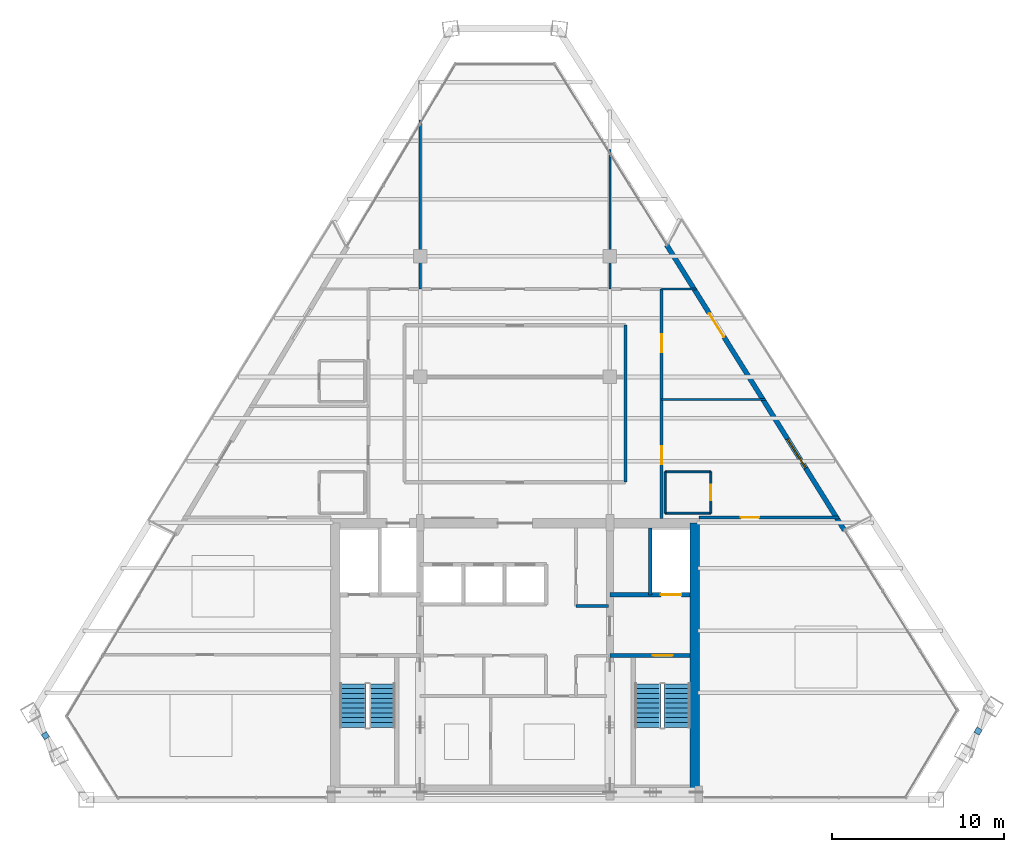
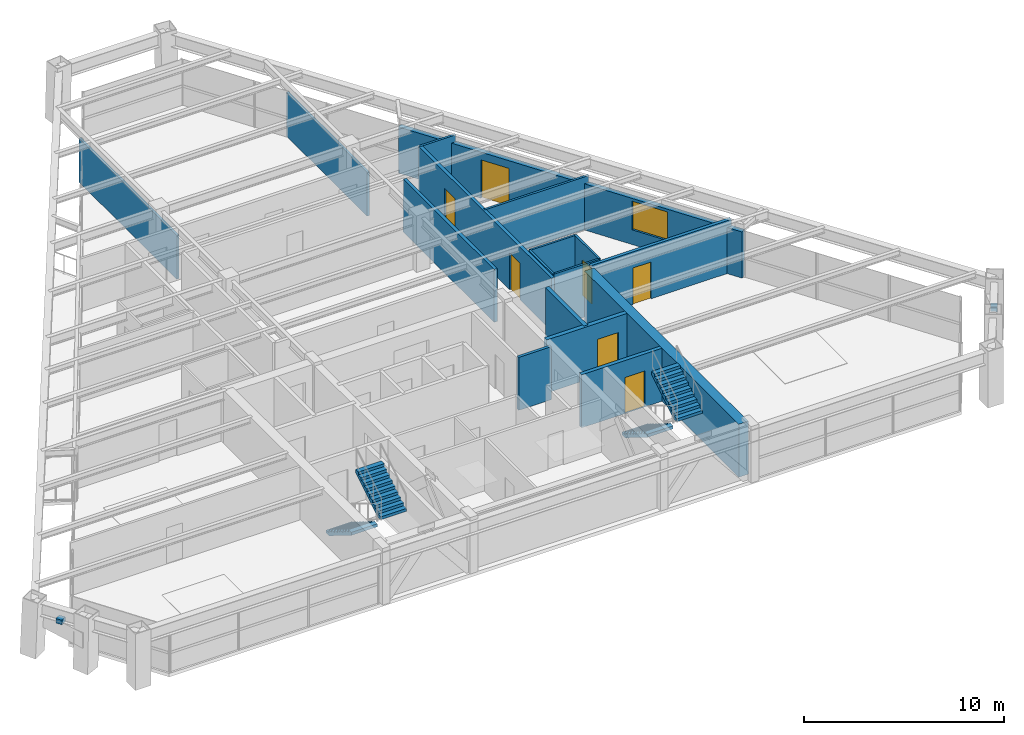
# One storey, part 10 of 12: 17 walls, 7 doors, 4 stair flights, 2 discrete accessories, 1 window, 8 openings, 2 elements without a shape of their own.
"""IFC4 building model written with IfcOpenShell, lengths in metres."""

from ifc_helpers import new_model, si_unit, direction, frame, frame_2d, origin, origin_2d, place, context, subcontext, project, spatial, polyline, rectangle, outline, extrude, source, transform, mapped, material, layer, layer_set, type_object, type_shapes, element, fill, aggregate, save


model = new_model("IFC4")

# Units and contexts
model_context = context("Model", 3, precision=1e-05, world=origin(), true_north=direction((0.0, 1.0)))
body_context = subcontext(model_context, "Body", "Model", "MODEL_VIEW")
ifc_project = project(units=[si_unit("LENGTHUNIT", "METRE"), si_unit("AREAUNIT", "SQUARE_METRE"), si_unit("VOLUMEUNIT", "CUBIC_METRE"), si_unit("PLANEANGLEUNIT", "RADIAN"), si_unit("MASSUNIT", "GRAM", prefix="KILO")], contexts=[model_context])

# Site, building, storey
site_placement = place(None, origin())
site = spatial("IfcSite", under=ifc_project, at=site_placement, CompositionType="ELEMENT")
building_placement = place(site_placement, origin())
building = spatial("IfcBuilding", under=site, at=building_placement, Name="Varnakhor Terracotta Tower", CompositionType="ELEMENT")
storey_placement = place(building_placement, frame((0.0, 0.0, 226.89990234375)))
storey = spatial("IfcBuildingStorey", under=building, at=storey_placement, Name="L58", CompositionType="ELEMENT", Elevation=226.89990234375)

# Walls
ifc_material_1 = material(Name="Moisture-Resistant Tile-Backed Partition", Category="gypsum")
ifc_layer_1 = layer(ifc_material_1, 0.114990234375, Name="Moisture-Resistant Tile-Backed Partition")
ifc_layer_set_1 = layer_set([ifc_layer_1], Name="Moisture-Resistant Tile-Backed Partition")
wall_type_1 = type_object("IfcWallType", Name="WAL-BATH-115", PredefinedType="PARTITIONING", material=ifc_layer_set_1)
for number, where, z_axis, x_axis, name in (
    (1, (8.699951171875, 16.60009765625, 0.0), (0.0, 0.0, 1.0), (1.0, 0.0, 0.0), "L58 En-Suite 3 Wall S"),
    (2, (8.699951171875, 19.0, 0.0), (0.0, 0.0, 1.0), (1.0, 0.0, 0.0), "L58 En-Suite 3 Wall N"),
):
    element("IfcWall", number, at=place(storey_placement, frame(where, z_axis=z_axis, x_axis=x_axis)), inside=storey, type_object=wall_type_1, Name=name, PredefinedType="PARTITIONING", context=body_context, shape_type="SweptSolid", body=[
        extrude(rectangle(XDim=2.650146484375, YDim=0.114990234375, at=frame_2d((1.3251953125, 0.0))), origin(), (0.0, 0.0, 1.0), 3.232177734375),
    ])
wall_1_placement = place(storey_placement, frame((8.699951171875, 16.60009765625, 0.0), z_axis=(0.0, 0.0, 1.0), x_axis=(0.0, 1.0, 0.0)))
element("IfcWall", 3, at=wall_1_placement, inside=storey, type_object=wall_type_1, Name="L58 En-Suite 3 Wall W", PredefinedType="PARTITIONING", context=body_context, shape_type="SweptSolid", body=[
    extrude(rectangle(XDim=2.39990234375, YDim=0.114990234375, at=frame_2d((1.199951171875, 0.0))), origin(), (0.0, 0.0, 1.0), 3.232177734375),
])

# Wall, opening, door
wall_2_placement = place(storey_placement, frame((11.35009765625, 16.60009765625, 0.0), z_axis=(0.0, 0.0, 1.0), x_axis=(0.0, 1.0, 0.0)))
wall_2 = element("IfcWall", 4, at=wall_2_placement, inside=storey, type_object=wall_type_1, Name="L58 En-Suite 3 Wall E", PredefinedType="PARTITIONING", context=body_context, shape_type="SweptSolid", body=[
    extrude(rectangle(XDim=2.39990234375, YDim=0.114990234375, at=frame_2d((1.199951171875, 0.0))), origin(), (0.0, 0.0, 1.0), 3.232177734375),
])
opening_1_placement = place(wall_2_placement, frame((0.75, 0.0, 0.0)))
opening_1 = element("IfcOpeningElement", 5, at=opening_1_placement, cuts=wall_2, Name="Opening DR-93", PredefinedType="OPENING", context=body_context, shape_type="SweptSolid", body=[
    extrude(rectangle(XDim=0.89990234375, YDim=2.14990234375, at=frame_2d((0.449951171875, 1.074951171875))), frame((0.0, 0.0673828125, 0.0), z_axis=(0.0, -1.0, 0.0), x_axis=(1.0, 0.0, 0.0)), (0.0, 0.0, 1.0), 0.135009765625),
])
ifc_material_2 = material(Name="Moisture-Resistant Accessible Bathroom Door", Category="wood")
door_type_1 = type_object("IfcDoorType", Name="DR-BATH-900X2150", OperationType="NOTDEFINED", PredefinedType="DOOR", material=ifc_material_2)
shared_shape_1 = source(origin(), body_context, "Body", "SweptSolid", [
    extrude(rectangle(XDim=0.89990234375, YDim=2.14990234375, at=frame_2d((0.449951171875, 1.074951171875))), frame((0.0, 0.02490234375, 0.0), z_axis=(0.0, -1.0, 0.0), x_axis=(1.0, 0.0, 0.0)), (0.0, 0.0, 1.0), 0.050048828125),
])
type_shapes(door_type_1, [shared_shape_1])
door_1_placement = place(opening_1_placement, origin())
door_1 = element("IfcDoor", 6, at=door_1_placement, inside=storey, type_object=door_type_1, Name="L58 En-Suite Bathroom 3 Door", OperationType="SINGLE_SWING_RIGHT", OverallHeight=2.14990234375, OverallWidth=0.89990234375, PredefinedType="DOOR", context=body_context, shape_type="MappedRepresentation", body=[
    mapped(shared_shape_1, transform((0.0, 0.0, 0.0), scale=1.0)),
])
fill(opening_1, door_1)

# Walls
ifc_material_3 = material(Name="Concrete C50/60", Category="concrete")
ifc_layer_2 = layer(ifc_material_3, 0.550048828125, Name="Concrete C50/60")
ifc_layer_set_2 = layer_set([ifc_layer_2], Name="Concrete C50/60")
wall_type_2 = type_object("IfcWallType", Name="WAL-CORE-550", PredefinedType="SHEAR", material=ifc_layer_set_2)
wall_3_placement = place(storey_placement, frame((10.425048828125, 0.574951171875, 0.0), z_axis=(0.0, 0.0, 1.0), x_axis=(0.0, 1.0, 0.0)))
element("IfcWall", 7, at=wall_3_placement, inside=storey, type_object=wall_type_2, Name="L58 East Core Shear Wall", PredefinedType="SHEAR", context=body_context, shape_type="SweptSolid", body=[
    extrude(rectangle(XDim=15.449951171875, YDim=0.550048828125, at=frame_2d((7.72509765625, 0.0))), origin(), (0.0, 0.0, 1.0), 3.239990234375),
])
ifc_material_4 = material(Name="Fire-Rated Gypsum Stud Partition", Category="gypsum")
ifc_layer_3 = layer(ifc_material_4, 0.18505859375, Name="Fire-Rated Gypsum Stud Partition")
ifc_layer_set_3 = layer_set([ifc_layer_3], Name="Fire-Rated Gypsum Stud Partition")
wall_type_3 = type_object("IfcWallType", Name="WAL-CORR-185", PredefinedType="PARTITIONING", material=ifc_layer_set_3)
wall_4_placement = place(storey_placement, frame((6.39990234375, 18.39990234375, 0.0), z_axis=(0.0, 0.0, 1.0), x_axis=(0.0, 1.0, 0.0)))
element("IfcWall", 8, at=wall_4_placement, inside=storey, type_object=wall_type_3, Name="L58 Ring Inner East Wall", PredefinedType="PARTITIONING", context=body_context, shape_type="SweptSolid", body=[
    extrude(rectangle(XDim=9.10009765625, YDim=0.18505859375, at=frame_2d((4.550048828125, 0.0))), origin(), (0.0, 0.0, 1.0), 3.232177734375),
])

# Wall, openings, doors
wall_5_placement = place(storey_placement, frame((8.5, 16.300048828125, 0.0), z_axis=(0.0, 0.0, 1.0), x_axis=(0.0, 1.0, 0.0)))
wall_5 = element("IfcWall", 9, at=wall_5_placement, inside=storey, type_object=wall_type_3, Name="L58 Hotel East Corridor Wall", PredefinedType="PARTITIONING", context=body_context, shape_type="SweptSolid", body=[
    extrude(rectangle(XDim=13.300048828125, YDim=0.18505859375, at=frame_2d((6.64990234375, 0.0))), origin(), (0.0, 0.0, 1.0), 3.232177734375),
])
opening_2_placement = place(wall_5_placement, frame((3.135986328125, 0.0, 0.0)))
opening_2 = element("IfcOpeningElement", 10, at=opening_2_placement, cuts=wall_5, Name="Opening DR-95", PredefinedType="OPENING", context=body_context, shape_type="SweptSolid", body=[
    extrude(rectangle(XDim=1.050048828125, YDim=2.25, at=frame_2d((0.52490234375, 1.125))), frame((0.0, 0.1025390625, 0.0), z_axis=(0.0, -1.0, 0.0), x_axis=(1.0, 0.0, 0.0)), (0.0, 0.0, 1.0), 0.205078125),
])
opening_3_placement = place(wall_5_placement, frame((9.6357421875, 0.0, 0.0)))
opening_3 = element("IfcOpeningElement", 11, at=opening_3_placement, cuts=wall_5, Name="Opening DR-95", PredefinedType="OPENING", context=body_context, shape_type="SweptSolid", body=[
    extrude(rectangle(XDim=1.050048828125, YDim=2.25, at=frame_2d((0.52490234375, 1.125))), frame((0.0, 0.1025390625, 0.0), z_axis=(0.0, -1.0, 0.0), x_axis=(1.0, 0.0, 0.0)), (0.0, 0.0, 1.0), 0.205078125),
])
ifc_material_5 = material(Name="Solid-Core Timber Tenant/Hotel Entrance Door", Category="wood")
door_type_2 = type_object("IfcDoorType", Name="DR-SUITE-1050X2250", OperationType="NOTDEFINED", PredefinedType="DOOR", material=ifc_material_5)
shared_shape_2 = source(origin(), body_context, "Body", "SweptSolid", [
    extrude(rectangle(XDim=1.050048828125, YDim=2.25, at=frame_2d((0.52490234375, 1.125))), frame((0.0, 0.02490234375, 0.0), z_axis=(0.0, -1.0, 0.0), x_axis=(1.0, 0.0, 0.0)), (0.0, 0.0, 1.0), 0.050048828125),
])
type_shapes(door_type_2, [shared_shape_2])
door_2_placement = place(opening_2_placement, origin())
door_2 = element("IfcDoor", 12, at=door_2_placement, inside=storey, type_object=door_type_2, Name="L58 East Room 1 Entry Door", OperationType="SINGLE_SWING_LEFT", OverallHeight=2.25, OverallWidth=1.050048828125, PredefinedType="DOOR", context=body_context, shape_type="MappedRepresentation", body=[
    mapped(shared_shape_2, transform((0.0, 0.0, 0.0), scale=1.0)),
])
fill(opening_2, door_2)
door_3_placement = place(opening_3_placement, origin())
door_3 = element("IfcDoor", 13, at=door_3_placement, inside=storey, type_object=door_type_2, Name="L58 East Room 2 Entry Door", OperationType="SINGLE_SWING_RIGHT", OverallHeight=2.25, OverallWidth=1.050048828125, PredefinedType="DOOR", context=body_context, shape_type="MappedRepresentation", body=[
    mapped(shared_shape_2, transform((0.0, 0.0, 0.0), scale=1.0)),
])
fill(opening_3, door_3)

# Wall, opening, door
wall_6_placement = place(storey_placement, frame((10.679931640625, 16.35009765625, 0.0), z_axis=(0.0, 0.0, 1.0), x_axis=(1.0, 0.0, 0.0)))
wall_6 = element("IfcWall", 14, at=wall_6_placement, inside=storey, type_object=wall_type_3, Name="L58 South East Guest Entry Wall", PredefinedType="PARTITIONING", context=body_context, shape_type="SweptSolid", body=[
    extrude(rectangle(XDim=8.11279296875, YDim=0.18505859375, at=frame_2d((4.056396484375, 0.0))), origin(), (0.0, 0.0, 1.0), 3.232177734375),
])
opening_4_placement = place(wall_6_placement, frame((2.41650390625, 0.0, 0.0)))
opening_4 = element("IfcOpeningElement", 15, at=opening_4_placement, cuts=wall_6, Name="Opening DR-95", PredefinedType="OPENING", context=body_context, shape_type="SweptSolid", body=[
    extrude(rectangle(XDim=1.050048828125, YDim=2.25, at=frame_2d((0.52490234375, 1.125))), frame((0.0, 0.1025390625, 0.0), z_axis=(0.0, -1.0, 0.0), x_axis=(1.0, 0.0, 0.0)), (0.0, 0.0, 1.0), 0.205078125),
])
door_4_placement = place(opening_4_placement, origin())
door_4 = element("IfcDoor", 16, at=door_4_placement, inside=storey, type_object=door_type_2, Name="L58 SE Suite Entry Door", OperationType="SINGLE_SWING_RIGHT", OverallHeight=2.25, OverallWidth=1.050048828125, PredefinedType="DOOR", context=body_context, shape_type="MappedRepresentation", body=[
    mapped(shared_shape_2, transform((0.0, 0.0, 0.0), scale=1.0)),
])
fill(opening_4, door_4)

# Wall, openings, door, window
ifc_material_6 = material(Name="Extruded Architectural Terracotta Assembly", Category="masonry")
ifc_layer_4 = layer(ifc_material_6, 0.280029296875, Name="Extruded Architectural Terracotta Assembly")
ifc_layer_set_4 = layer_set([ifc_layer_4], Name="Extruded Architectural Terracotta Assembly")
wall_type_4 = type_object("IfcWallType", Name="WAL-EXT-TERRACOTTA-280", PredefinedType="SOLIDWALL", material=ifc_layer_set_4)
wall_7_placement = place(storey_placement, frame((8.79345703125, 32.151611328125, 0.0), z_axis=(0.0, 0.0, 1.0), x_axis=(0.528841469928, -0.848720625226, 0.0)))
wall_7 = element("IfcWall", 17, at=wall_7_placement, inside=storey, type_object=wall_type_4, Name="L58 E Loggia Insulated Terracotta Wall", PredefinedType="SOLIDWALL", context=body_context, shape_type="SweptSolid", body=[
    extrude(rectangle(XDim=19.47998046875, YDim=0.280029296875, at=frame_2d((9.739990234375, 0.0))), origin(), (0.0, 0.0, 1.0), 2.820068359375),
])
opening_5_placement = place(wall_7_placement, frame((4.67529296875, 0.0, 0.0)))
opening_5 = element("IfcOpeningElement", 18, at=opening_5_placement, cuts=wall_7, Name="Opening DR-62", PredefinedType="OPENING", context=body_context, shape_type="SweptSolid", body=[
    extrude(rectangle(XDim=1.60009765625, YDim=2.35009765625, at=frame_2d((0.800048828125, 1.175048828125))), frame((0.0, 0.14990234375, 0.0), z_axis=(0.0, -1.0, 0.0), x_axis=(1.0, 0.0, 0.0)), (0.0, 0.0, 1.0), 0.300048828125),
])
opening_6_placement = place(wall_7_placement, frame((13.246337890625, 0.0, 0.89990234375)))
opening_6 = element("IfcOpeningElement", 19, at=opening_6_placement, cuts=wall_7, Name="Opening WN-63", PredefinedType="OPENING", context=body_context, shape_type="SweptSolid", body=[
    extrude(rectangle(XDim=2.0, YDim=1.75, at=frame_2d((1.0, 0.875))), frame((0.0, 0.14990234375, 0.0), z_axis=(0.0, -1.0, 0.0), x_axis=(1.0, 0.0, 0.0)), (0.0, 0.0, 1.0), 0.300048828125),
])
ifc_material_7 = material(Name="Thermally Broken Sliding Glass Loggia Door", Category="glass")
door_type_3 = type_object("IfcDoorType", Name="DR-EXT-LOGGIA-1600X2350", OperationType="NOTDEFINED", PredefinedType="DOOR", material=ifc_material_7)
shared_shape_3 = source(origin(), body_context, "Body", "SweptSolid", [
    extrude(rectangle(XDim=1.60009765625, YDim=2.35009765625, at=frame_2d((0.800048828125, 1.175048828125))), frame((0.0, 0.02490234375, 0.0), z_axis=(0.0, -1.0, 0.0), x_axis=(1.0, 0.0, 0.0)), (0.0, 0.0, 1.0), 0.050048828125),
])
type_shapes(door_type_3, [shared_shape_3])
door_5_placement = place(opening_5_placement, origin())
door_5 = element("IfcDoor", 20, at=door_5_placement, inside=storey, type_object=door_type_3, Name="L58 E Recessed Loggia Sliding Door", OperationType="SLIDING_TO_RIGHT", OverallHeight=2.35009765625, OverallWidth=1.60009765625, PredefinedType="DOOR", context=body_context, shape_type="MappedRepresentation", body=[
    mapped(shared_shape_3, transform((0.0, 0.0, 0.0), scale=1.0)),
])
fill(opening_5, door_5)
ifc_material_8 = material(Name="Solar-Control Low-E Insulated Glass Unit", Category="glass")
window_type = type_object("IfcWindowType", Name="WIN-HTL-2000X1950", PartitioningType="SINGLE_PANEL", PredefinedType="WINDOW", material=ifc_material_8)
shared_shape_4 = source(origin(), body_context, "Body", "SweptSolid", [
    extrude(rectangle(XDim=2.0, YDim=1.75, at=frame_2d((1.0, 0.875))), frame((0.0, 0.030029296875, 0.0), z_axis=(0.0, -1.0, 0.0), x_axis=(1.0, 0.0, 0.0)), (0.0, 0.0, 1.0), 0.06005859375),
])
type_shapes(window_type, [shared_shape_4])
window_placement = place(opening_6_placement, origin())
window = element("IfcWindow", 21, at=window_placement, inside=storey, type_object=window_type, Name="L58 E Facet Punched Window", OverallHeight=1.75, OverallWidth=2.0, PartitioningType="SINGLE_PANEL", PredefinedType="WINDOW", context=body_context, shape_type="MappedRepresentation", body=[
    mapped(shared_shape_4, transform((0.0, 0.0, 0.0), scale=1.0)),
])
fill(opening_6, window)

# Wall, opening, door
ifc_material_9 = material(Name="Concrete C40/50", Category="concrete")
ifc_layer_5 = layer(ifc_material_9, 0.219970703125, Name="Concrete C40/50")
ifc_layer_set_5 = layer_set([ifc_layer_5], Name="Concrete C40/50")
wall_type_5 = type_object("IfcWallType", Name="WAL-FFLOBBY-220", PredefinedType="SOLIDWALL", material=ifc_layer_set_5)
wall_8_placement = place(storey_placement, frame((10.14990234375, 8.35009765625, 0.0), z_axis=(0.0, 0.0, 1.0), x_axis=(-1.0, 0.0, 0.0)))
wall_8 = element("IfcWall", 22, at=wall_8_placement, inside=storey, type_object=wall_type_5, Name="L58 East Firefighting Lobby Stair Wall", PredefinedType="SOLIDWALL", context=body_context, shape_type="SweptSolid", body=[
    extrude(rectangle(XDim=4.64990234375, YDim=0.219970703125, at=frame_2d((2.324951171875, 0.0))), origin(), (0.0, 0.0, 1.0), 3.239990234375),
])
opening_7_placement = place(wall_8_placement, frame((1.0, 0.0, 0.0)))
opening_7 = element("IfcOpeningElement", 23, at=opening_7_placement, cuts=wall_8, Name="Opening DR-34", PredefinedType="OPENING", context=body_context, shape_type="SweptSolid", body=[
    extrude(rectangle(XDim=1.14990234375, YDim=2.199951171875, at=frame_2d((0.574951171875, 1.10009765625))), frame((0.0, 0.1201171875, 0.0), z_axis=(0.0, -1.0, 0.0), x_axis=(1.0, 0.0, 0.0)), (0.0, 0.0, 1.0), 0.239990234375),
])
ifc_material_10 = material(Name="Self-Closing Smoke-Sealed Steel Fire Door", Category="steel")
door_type_4 = type_object("IfcDoorType", Name="DR-STAIR-1150X2200", OperationType="NOTDEFINED", PredefinedType="DOOR", material=ifc_material_10)
shared_shape_5 = source(origin(), body_context, "Body", "SweptSolid", [
    extrude(rectangle(XDim=1.14990234375, YDim=2.199951171875, at=frame_2d((0.574951171875, 1.10009765625))), frame((0.0, 0.02490234375, 0.0), z_axis=(0.0, -1.0, 0.0), x_axis=(1.0, 0.0, 0.0)), (0.0, 0.0, 1.0), 0.050048828125),
])
type_shapes(door_type_4, [shared_shape_5])
door_6_placement = place(opening_7_placement, origin())
door_6 = element("IfcDoor", 24, at=door_6_placement, inside=storey, type_object=door_type_4, Name="L58 Exit Stair ST-2 Fire Door", OperationType="SINGLE_SWING_LEFT", OverallHeight=2.199951171875, OverallWidth=1.14990234375, PredefinedType="DOOR", context=body_context, shape_type="MappedRepresentation", body=[
    mapped(shared_shape_5, transform((0.0, 0.0, 0.0), scale=1.0)),
])
fill(opening_7, door_6)

# Walls
ifc_material_11 = material(Name="Acoustic Hotel Room Partition", Category="gypsum")
ifc_layer_6 = layer(ifc_material_11, 0.1298828125, Name="Acoustic Hotel Room Partition")
ifc_layer_set_6 = layer_set([ifc_layer_6], Name="Acoustic Hotel Room Partition")
wall_type_6 = type_object("IfcWallType", Name="WAL-PART-130", PredefinedType="PARTITIONING", material=ifc_layer_set_6)
wall_9_placement = place(storey_placement, frame((8.5, 29.60009765625, 0.0), z_axis=(0.0, 0.0, 1.0), x_axis=(1.0, 0.0, 0.0)))
element("IfcWall", 25, at=wall_9_placement, inside=storey, type_object=wall_type_6, Name="L58 North East Suite South Wall", PredefinedType="PARTITIONING", context=body_context, shape_type="SweptSolid", body=[
    extrude(rectangle(XDim=2.03662109375, YDim=0.1298828125, at=frame_2d((1.018310546875, 0.0))), origin(), (0.0, 0.0, 1.0), 3.232177734375),
])
wall_10_placement = place(storey_placement, frame((-5.5, 29.60009765625, 0.0), z_axis=(0.0, 0.0, 1.0), x_axis=(0.0, 1.0, 0.0)))
element("IfcWall", 26, at=wall_10_placement, inside=storey, type_object=wall_type_6, Name="L58 North West Column Wall", PredefinedType="PARTITIONING", context=body_context, shape_type="SweptSolid", body=[
    extrude(rectangle(XDim=9.7978515625, YDim=0.1298828125, at=frame_2d((4.89892578125, 0.0))), origin(), (0.0, 0.0, 1.0), 2.68310546875),
])
wall_11_placement = place(storey_placement, frame((5.5, 29.60009765625, 0.0), z_axis=(0.0, 0.0, 1.0), x_axis=(0.0, 1.0, 0.0)))
element("IfcWall", 27, at=wall_11_placement, inside=storey, type_object=wall_type_6, Name="L58 North East Column Wall", PredefinedType="PARTITIONING", context=body_context, shape_type="SweptSolid", body=[
    extrude(rectangle(XDim=8.0830078125, YDim=0.1298828125, at=frame_2d((4.04150390625, 0.0))), origin(), (0.0, 0.0, 1.0), 2.68310546875),
])
wall_12_placement = place(storey_placement, frame((8.5, 23.199951171875, 0.0), z_axis=(0.0, 0.0, 1.0), x_axis=(1.0, 0.0, 0.0)))
element("IfcWall", 28, at=wall_12_placement, inside=storey, type_object=wall_type_6, Name="L58 East Key Cut 1", PredefinedType="PARTITIONING", context=body_context, shape_type="SweptSolid", body=[
    extrude(rectangle(XDim=6.0244140625, YDim=0.1298828125, at=frame_2d((3.01220703125, 0.0))), origin(), (0.0, 0.0, 1.0), 3.232177734375),
])
ifc_layer_7 = layer(ifc_material_9, 0.219970703125, Name="Concrete C40/50")
ifc_layer_set_7 = layer_set([ifc_layer_7], Name="Concrete C40/50")
wall_type_7 = type_object("IfcWallType", Name="WAL-SHAFT-220", PredefinedType="SOLIDWALL", material=ifc_layer_set_7)
wall_13_placement = place(storey_placement, frame((7.840087890625, 11.8701171875, 0.0), z_axis=(0.0, 0.0, 1.0), x_axis=(0.0, 1.0, 0.0)))
element("IfcWall", 29, at=wall_13_placement, inside=storey, type_object=wall_type_7, Name="L58 Lift FFL-2 and Riser Divider Wall", PredefinedType="SOLIDWALL", context=body_context, shape_type="SweptSolid", body=[
    extrude(rectangle(XDim=3.8798828125, YDim=0.219970703125, at=frame_2d((1.93994140625, 0.0))), origin(), (0.0, 0.0, 1.0), 3.239990234375),
])

# Wall, opening, door
ifc_layer_8 = layer(ifc_material_9, 0.25, Name="Concrete C40/50")
ifc_layer_set_8 = layer_set([ifc_layer_8], Name="Concrete C40/50")
wall_type_8 = type_object("IfcWallType", Name="WAL-SHAFT-250", PredefinedType="SOLIDWALL", material=ifc_layer_set_8)
wall_14_placement = place(storey_placement, frame((10.14990234375, 11.8701171875, 0.0), z_axis=(0.0, 0.0, 1.0), x_axis=(-1.0, 0.0, 0.0)))
wall_14 = element("IfcWall", 30, at=wall_14_placement, inside=storey, type_object=wall_type_8, Name="L58 Lift FFL-2 Shaft Front Wall", PredefinedType="SOLIDWALL", context=body_context, shape_type="SweptSolid", body=[
    extrude(rectangle(XDim=4.64990234375, YDim=0.25, at=frame_2d((2.324951171875, 0.0))), origin(), (0.0, 0.0, 1.0), 3.239990234375),
])
opening_8_placement = place(wall_14_placement, frame((0.5, 0.0, 0.0)))
opening_8 = element("IfcOpeningElement", 31, at=opening_8_placement, cuts=wall_14, Name="Opening LD-02", PredefinedType="OPENING", context=body_context, shape_type="SweptSolid", body=[
    extrude(rectangle(XDim=1.199951171875, YDim=2.25, at=frame_2d((0.60009765625, 1.125))), frame((0.0, 0.135009765625, 0.0), z_axis=(0.0, -1.0, 0.0), x_axis=(1.0, 0.0, 0.0)), (0.0, 0.0, 1.0), 0.27001953125),
])
ifc_material_12 = material(Name="Firefighting Stretcher Sliding Lift Landing Door", Category="steel")
door_type_5 = type_object("IfcDoorType", Name="LD-FFL-1200X2250", OperationType="NOTDEFINED", PredefinedType="DOOR", material=ifc_material_12)
shared_shape_6 = source(origin(), body_context, "Body", "SweptSolid", [
    extrude(rectangle(XDim=1.199951171875, YDim=2.25, at=frame_2d((0.60009765625, 1.125))), frame((0.0, 0.02490234375, 0.0), z_axis=(0.0, -1.0, 0.0), x_axis=(1.0, 0.0, 0.0)), (0.0, 0.0, 1.0), 0.050048828125),
])
type_shapes(door_type_5, [shared_shape_6])
door_7_placement = place(opening_8_placement, origin())
door_7 = element("IfcDoor", 32, at=door_7_placement, inside=storey, type_object=door_type_5, Name="L58 Firefighting Lift FFL-2 Landing Door", OperationType="SLIDING_TO_RIGHT", OverallHeight=2.25, OverallWidth=1.199951171875, PredefinedType="DOOR", context=body_context, shape_type="MappedRepresentation", body=[
    mapped(shared_shape_6, transform((0.0, 0.0, 0.0), scale=1.0)),
])
fill(opening_8, door_7)

# Wall
ifc_material_13 = material(Name="Acoustic Fire-Rated Partition", Category="gypsum")
ifc_layer_9 = layer(ifc_material_13, 0.1650390625, Name="Acoustic Fire-Rated Partition")
ifc_layer_set_9 = layer_set([ifc_layer_9], Name="Acoustic Fire-Rated Partition")
wall_type_9 = type_object("IfcWallType", Name="WAL-TENANCY-165", PredefinedType="PARTITIONING", material=ifc_layer_set_9)
wall_15_placement = place(storey_placement, frame((3.5400390625, 11.219970703125, 0.0), z_axis=(0.0, 0.0, 1.0), x_axis=(1.0, 0.0, 0.0)))
element("IfcWall", 33, at=wall_15_placement, inside=storey, type_object=wall_type_9, Name="L58 Restroom South Wall", PredefinedType="PARTITIONING", context=body_context, shape_type="SweptSolid", body=[
    extrude(rectangle(XDim=1.8798828125, YDim=0.1650390625, at=frame_2d((0.93994140625, 0.0))), origin(), (0.0, 0.0, 1.0), 3.232177734375),
])

# Stair, stair flights
stair_type = type_object("IfcStairType", Name="STR-CORE-HOTEL-1500", PredefinedType="HALF_TURN_STAIR", material=ifc_material_9)
stair_1_placement = place(storey_placement, origin())
stair_1 = element("IfcStair", 34, at=stair_1_placement, inside=storey, type_object=stair_type, Name="L58 Core Exit Stair ST-1", PredefinedType="HALF_TURN_STAIR")
stair_flight_type = type_object("IfcStairFlightType", Name="FLT-HOTEL-1500", PredefinedType="STRAIGHT", material=ifc_material_9)
stair_flight_1_placement = place(storey_placement, frame((-9.39990234375, 6.7099609375, 0.0), z_axis=(0.0, 0.0, 1.0), x_axis=(0.0, -1.0, 0.0)))
stair_flight_1 = element("IfcStairFlight", 35, at=stair_flight_1_placement, type_object=stair_flight_type, Name="ST-1 flight 1", NumberOfRisers=10, NumberOfTreads=9, PredefinedType="STRAIGHT", RiserHeight=0.1725, TreadLength=0.28, context=body_context, shape_type="SweptSolid", body=[
    extrude(outline(polyline([(0.0, 0.0), (0.0, 0.172607421875), (0.280029296875, 0.172607421875), (0.280029296875, 0.344970703125), (0.56005859375, 0.344970703125), (0.56005859375, 0.517578125), (0.840087890625, 0.517578125), (0.840087890625, 0.68994140625), (1.1201171875, 0.68994140625), (1.1201171875, 0.862548828125), (1.39990234375, 0.862548828125), (1.39990234375, 1.034912109375), (1.679931640625, 1.034912109375), (1.679931640625, 1.20751953125), (1.9599609375, 1.20751953125), (1.9599609375, 1.3798828125), (2.239990234375, 1.3798828125), (2.239990234375, 1.552490234375), (2.52001953125, 1.552490234375), (2.52001953125, 1.72509765625), (2.52001953125, 1.36474609375), (0.304931640625, 0.0), (0.0, 0.0)])), frame((0.0, 0.75, 0.0), z_axis=(0.0, -1.0, 0.0), x_axis=(1.0, 0.0, 0.0)), (0.0, 0.0, 1.0), 1.5),
])
stair_flight_2_placement = place(storey_placement, frame((-7.699951171875, 4.18994140625, 1.72509765625), z_axis=(0.0, 0.0, 1.0), x_axis=(0.0, 1.0, 0.0)))
stair_flight_2 = element("IfcStairFlight", 36, at=stair_flight_2_placement, type_object=stair_flight_type, Name="ST-1 flight 2", NumberOfRisers=10, NumberOfTreads=9, PredefinedType="STRAIGHT", RiserHeight=0.1725, TreadLength=0.28, context=body_context, shape_type="SweptSolid", body=[
    extrude(outline(polyline([(0.0, 0.0), (0.0, 0.172607421875), (0.280029296875, 0.172607421875), (0.280029296875, 0.344970703125), (0.56005859375, 0.344970703125), (0.56005859375, 0.517578125), (0.840087890625, 0.517578125), (0.840087890625, 0.68994140625), (1.1201171875, 0.68994140625), (1.1201171875, 0.862548828125), (1.39990234375, 0.862548828125), (1.39990234375, 1.034912109375), (1.679931640625, 1.034912109375), (1.679931640625, 1.20751953125), (1.9599609375, 1.20751953125), (1.9599609375, 1.3798828125), (2.239990234375, 1.3798828125), (2.239990234375, 1.552490234375), (2.52001953125, 1.552490234375), (2.52001953125, 1.72509765625), (2.52001953125, 1.36474609375), (0.304931640625, 0.0), (0.0, 0.0)])), frame((0.0, 0.75, 0.0), z_axis=(0.0, -1.0, 0.0), x_axis=(1.0, 0.0, 0.0)), (0.0, 0.0, 1.0), 1.5),
])
aggregate(stair_1, [stair_flight_1, stair_flight_2])

stair_2_placement = place(storey_placement, origin())
stair_2 = element("IfcStair", 37, at=stair_2_placement, inside=storey, type_object=stair_type, Name="L58 Core Exit Stair ST-2", PredefinedType="HALF_TURN_STAIR")
stair_flight_3_placement = place(storey_placement, frame((7.699951171875, 6.7099609375, 0.0), z_axis=(0.0, 0.0, 1.0), x_axis=(0.0, -1.0, 0.0)))
stair_flight_3 = element("IfcStairFlight", 38, at=stair_flight_3_placement, type_object=stair_flight_type, Name="ST-2 flight 1", NumberOfRisers=10, NumberOfTreads=9, PredefinedType="STRAIGHT", RiserHeight=0.1725, TreadLength=0.28, context=body_context, shape_type="SweptSolid", body=[
    extrude(outline(polyline([(0.0, 0.0), (0.0, 0.172607421875), (0.280029296875, 0.172607421875), (0.280029296875, 0.344970703125), (0.56005859375, 0.344970703125), (0.56005859375, 0.517578125), (0.840087890625, 0.517578125), (0.840087890625, 0.68994140625), (1.1201171875, 0.68994140625), (1.1201171875, 0.862548828125), (1.39990234375, 0.862548828125), (1.39990234375, 1.034912109375), (1.679931640625, 1.034912109375), (1.679931640625, 1.20751953125), (1.9599609375, 1.20751953125), (1.9599609375, 1.3798828125), (2.239990234375, 1.3798828125), (2.239990234375, 1.552490234375), (2.52001953125, 1.552490234375), (2.52001953125, 1.72509765625), (2.52001953125, 1.36474609375), (0.304931640625, 0.0), (0.0, 0.0)])), frame((0.0, 0.75, 0.0), z_axis=(0.0, -1.0, 0.0), x_axis=(1.0, 0.0, 0.0)), (0.0, 0.0, 1.0), 1.5),
])
stair_flight_4_placement = place(storey_placement, frame((9.39990234375, 4.18994140625, 1.72509765625), z_axis=(0.0, 0.0, 1.0), x_axis=(0.0, 1.0, 0.0)))
stair_flight_4 = element("IfcStairFlight", 39, at=stair_flight_4_placement, type_object=stair_flight_type, Name="ST-2 flight 2", NumberOfRisers=10, NumberOfTreads=9, PredefinedType="STRAIGHT", RiserHeight=0.1725, TreadLength=0.28, context=body_context, shape_type="SweptSolid", body=[
    extrude(outline(polyline([(0.0, 0.0), (0.0, 0.172607421875), (0.280029296875, 0.172607421875), (0.280029296875, 0.344970703125), (0.56005859375, 0.344970703125), (0.56005859375, 0.517578125), (0.840087890625, 0.517578125), (0.840087890625, 0.68994140625), (1.1201171875, 0.68994140625), (1.1201171875, 0.862548828125), (1.39990234375, 0.862548828125), (1.39990234375, 1.034912109375), (1.679931640625, 1.034912109375), (1.679931640625, 1.20751953125), (1.9599609375, 1.20751953125), (1.9599609375, 1.3798828125), (2.239990234375, 1.3798828125), (2.239990234375, 1.552490234375), (2.52001953125, 1.552490234375), (2.52001953125, 1.72509765625), (2.52001953125, 1.36474609375), (0.304931640625, 0.0), (0.0, 0.0)])), frame((0.0, 0.75, 0.0), z_axis=(0.0, -1.0, 0.0), x_axis=(1.0, 0.0, 0.0)), (0.0, 0.0, 1.0), 1.5),
])
aggregate(stair_2, [stair_flight_3, stair_flight_4])

# Discrete accessories
ifc_material_14 = material(Name="Stainless Steel Fixing Bracket", Category="steel")
discrete_accessory_type = type_object("IfcDiscreteAccessoryType", Name="BRACKET-TERRACOTTA-SCREEN", PredefinedType="BRACKET", material=ifc_material_14)
shared_shape_7 = source(origin(), body_context, "Body", "SweptSolid", [
    extrude(rectangle(XDim=0.35009765625, YDim=0.35009765625, at=origin_2d()), origin(), (0.0, 0.0, 1.0), 0.280029296875),
])
type_shapes(discrete_accessory_type, [shared_shape_7])
for number, where, z_axis, x_axis, name in (
    (40, (26.84912109375, 3.96826171875, 2.3369140625), (0.0, 0.0, 1.0), (0.522513446015, 0.852631044904, 0.0), "L58 E Screen Fixing Bracket"),
    (41, (-27.22607421875, 3.703125, 2.3369140625), (0.0, 0.0, 1.0), (0.538461973895, -0.842649810223, 0.0), "L58 W Screen Fixing Bracket"),
):
    element("IfcDiscreteAccessory", number, at=place(storey_placement, frame(where, z_axis=z_axis, x_axis=x_axis)), inside=storey, type_object=discrete_accessory_type, Name=name, PredefinedType="BRACKET", context=body_context, shape_type="MappedRepresentation", body=[
        mapped(shared_shape_7, transform((0.0, 0.0, 0.0), scale=1.0)),
    ])

save(model, "model.ifc")
